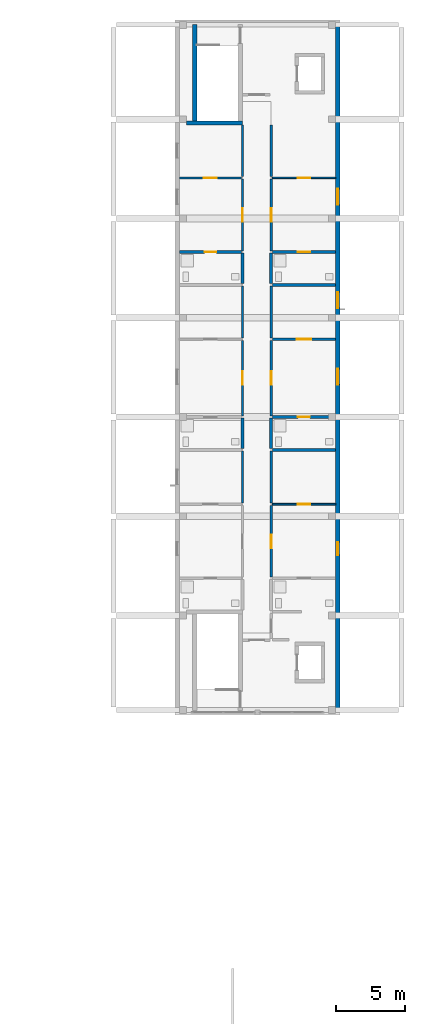
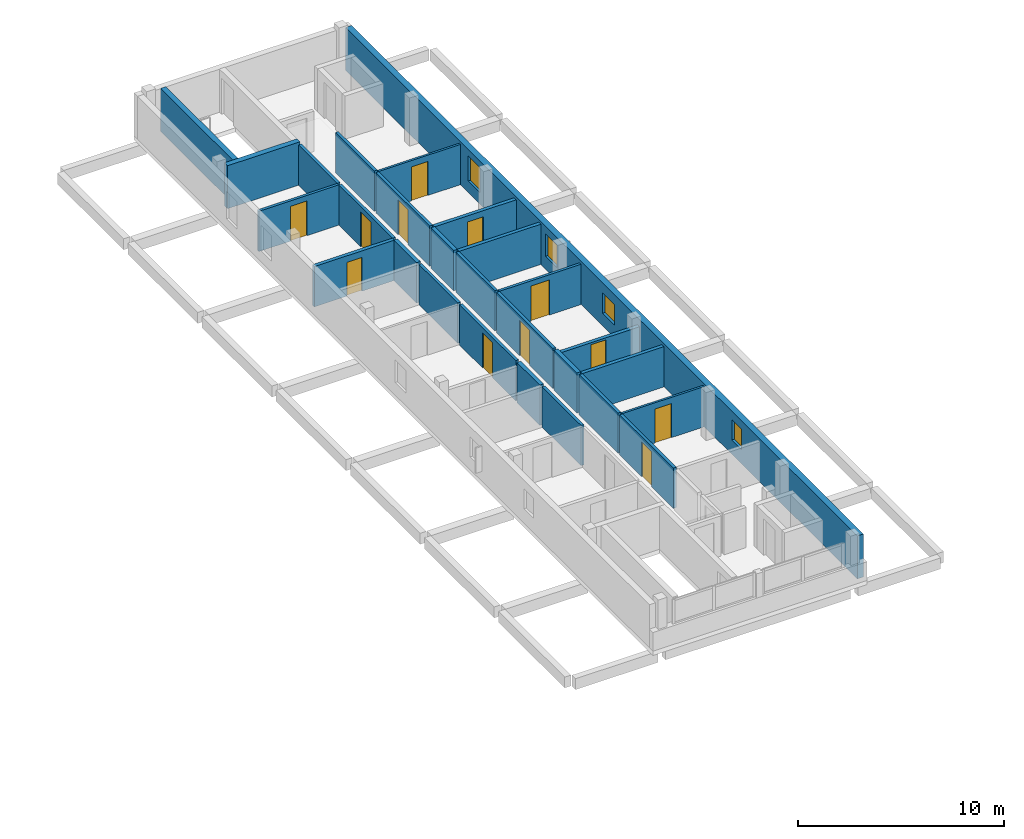
# One storey, part 9 of 16: 27 walls, 12 doors, 4 windows, 16 openings.
"""IFC4 building model written with IfcOpenShell, lengths in metres."""

from ifc_helpers import new_model, si_unit, derived_unit, direction, frame, frame_2d, origin, place, context, subcontext, project, spatial, rectangle, extrude, material, layer, layer_set, type_object, element, fill, save


model = new_model("IFC4")

# Units and contexts
model_context = context("Model", 3, precision=1e-05, world=origin(), true_north=direction((0.0, 1.0)))
body_context = subcontext(model_context, "Body", "Model", "MODEL_VIEW")
ifc_project = project(units=[si_unit("LENGTHUNIT", "METRE"), si_unit("AREAUNIT", "SQUARE_METRE"), si_unit("VOLUMEUNIT", "CUBIC_METRE"), si_unit("PLANEANGLEUNIT", "RADIAN"), si_unit("MASSUNIT", "GRAM", prefix="KILO"), derived_unit("THERMALTRANSMITTANCEUNIT", [(si_unit("MASSUNIT", "GRAM", prefix="KILO"), 1), (si_unit("TIMEUNIT", "SECOND"), -3), (si_unit("THERMODYNAMICTEMPERATUREUNIT", "KELVIN"), -1)])], contexts=[model_context])

# Site, building, storey
site_placement = place(None, origin())
site = spatial("IfcSite", under=ifc_project, at=site_placement, CompositionType="ELEMENT")
building_placement = place(site_placement, origin())
building = spatial("IfcBuilding", under=site, at=building_placement, Name="Ochrekiln Boulevard Commons", CompositionType="ELEMENT")
storey_placement = place(building_placement, frame((0.0, 0.0, 40.425048828125)))
storey = spatial("IfcBuildingStorey", under=building, at=storey_placement, Name="L12", CompositionType="ELEMENT", Elevation=40.425048828125)

# Wall, openings, windows
ifc_material_1 = material(Name="Iron-spot brown clinker brick masonry ASTM C216 Grade SW", Category="masonry")
ifc_layer_1 = layer(ifc_material_1, 0.340087890625)
ifc_layer_set_1 = layer_set([ifc_layer_1], Name="Iron-spot brown clinker brick masonry ASTM C216 Grade SW")
wall_type_1 = type_object("IfcWallType", Name="WL-EXT-IRON-340", PredefinedType="SOLIDWALL", material=ifc_layer_set_1)
wall_1_placement = place(storey_placement, frame((167.830078125, 68.739990234375, 0.0), z_axis=(0.0, 0.0, 1.0), x_axis=(0.0, 1.0, 0.0)))
wall_1 = element("IfcWall", 1, at=wall_1_placement, inside=storey, type_object=wall_type_1, Name="Block B L12 E Exterior Wall", PredefinedType="SOLIDWALL", context=body_context, shape_type="SweptSolid", body=[
    extrude(rectangle(XDim=49.719970703125, YDim=0.340087890625, at=frame_2d((24.85986328125, 0.0))), origin(), (0.0, 0.0, 1.0), 2.550048828125),
])
opening_1_placement = place(wall_1_placement, frame((11.239990234375, 0.0, 0.85009765625)))
opening_1 = element("IfcOpeningElement", 2, at=opening_1_placement, cuts=wall_1, Name="Opening W-01", PredefinedType="OPENING", context=body_context, shape_type="SweptSolid", body=[
    extrude(rectangle(XDim=0.949951171875, YDim=1.199951171875, at=frame_2d((0.47509765625, 0.60009765625))), frame((0.0, 0.179931640625, 0.0), z_axis=(0.0, -1.0, 0.0), x_axis=(1.0, 0.0, 0.0)), (0.0, 0.0, 1.0), 0.360107421875),
])
opening_2_placement = place(wall_1_placement, frame((23.60205078125, 0.0, 0.75)))
opening_2 = element("IfcOpeningElement", 3, at=opening_2_placement, cuts=wall_1, Name="Opening W-11", PredefinedType="OPENING", context=body_context, shape_type="SweptSolid", body=[
    extrude(rectangle(XDim=1.14990234375, YDim=1.199951171875, at=frame_2d((0.574951171875, 0.60009765625))), frame((0.0, 0.179931640625, 0.0), z_axis=(0.0, -1.0, 0.0), x_axis=(1.0, 0.0, 0.0)), (0.0, 0.0, 1.0), 0.360107421875),
])
opening_3_placement = place(wall_1_placement, frame((29.1669921875, 0.0, 0.75)))
opening_3 = element("IfcOpeningElement", 4, at=opening_3_placement, cuts=wall_1, Name="Opening W-12", PredefinedType="OPENING", context=body_context, shape_type="SweptSolid", body=[
    extrude(rectangle(XDim=1.14990234375, YDim=1.35009765625, at=frame_2d((0.574951171875, 0.675048828125))), frame((0.0, 0.179931640625, 0.0), z_axis=(0.0, -1.0, 0.0), x_axis=(1.0, 0.0, 0.0)), (0.0, 0.0, 1.0), 0.360107421875),
])
opening_4_placement = place(wall_1_placement, frame((36.655029296875, 0.0, 0.6650390625)))
opening_4 = element("IfcOpeningElement", 5, at=opening_4_placement, cuts=wall_1, Name="Opening W-13", PredefinedType="OPENING", context=body_context, shape_type="SweptSolid", body=[
    extrude(rectangle(XDim=1.14990234375, YDim=1.5, at=frame_2d((0.574951171875, 0.75))), frame((0.0, 0.179931640625, 0.0), z_axis=(0.0, -1.0, 0.0), x_axis=(1.0, 0.0, 0.0)), (0.0, 0.0, 1.0), 0.360107421875),
])
ifc_material_2 = material(Name="Thermally broken aluminium-clad oak frame", Category="aluminium")
window_type_1 = type_object("IfcWindowType", Name="WIN-EXT-01", PartitioningType="SINGLE_PANEL", PredefinedType="WINDOW", material=ifc_material_2)
window_1_placement = place(opening_1_placement, origin())
window_1 = element("IfcWindow", 6, at=window_1_placement, inside=storey, type_object=window_type_1, Name="Block B L12 Punched Masonry Window W-01", OverallHeight=1.199951171875, OverallWidth=0.949951171875, PartitioningType="SINGLE_PANEL", PredefinedType="WINDOW", context=body_context, shape_type="SweptSolid", body=[
    extrude(rectangle(XDim=0.949951171875, YDim=1.199951171875, at=frame_2d((0.47509765625, 0.60009765625))), frame((0.0, 0.030029296875, 0.0), z_axis=(0.0, -1.0, 0.0), x_axis=(1.0, 0.0, 0.0)), (0.0, 0.0, 1.0), 0.06005859375),
])
fill(opening_1, window_1)
window_type_2 = type_object("IfcWindowType", Name="WIN-EXT-11", PartitioningType="SINGLE_PANEL", PredefinedType="WINDOW", material=ifc_material_2)
window_2_placement = place(opening_2_placement, origin())
window_2 = element("IfcWindow", 7, at=window_2_placement, inside=storey, type_object=window_type_2, Name="Block B L12 Punched Masonry Window W-11", OverallHeight=1.199951171875, OverallWidth=1.14990234375, PartitioningType="SINGLE_PANEL", PredefinedType="WINDOW", context=body_context, shape_type="SweptSolid", body=[
    extrude(rectangle(XDim=1.14990234375, YDim=1.199951171875, at=frame_2d((0.574951171875, 0.60009765625))), frame((0.0, 0.030029296875, 0.0), z_axis=(0.0, -1.0, 0.0), x_axis=(1.0, 0.0, 0.0)), (0.0, 0.0, 1.0), 0.06005859375),
])
fill(opening_2, window_2)
window_type_3 = type_object("IfcWindowType", Name="WIN-EXT-12", PartitioningType="SINGLE_PANEL", PredefinedType="WINDOW", material=ifc_material_2)
window_3_placement = place(opening_3_placement, origin())
window_3 = element("IfcWindow", 8, at=window_3_placement, inside=storey, type_object=window_type_3, Name="Block B L12 Punched Masonry Window W-12", OverallHeight=1.35009765625, OverallWidth=1.14990234375, PartitioningType="SINGLE_PANEL", PredefinedType="WINDOW", context=body_context, shape_type="SweptSolid", body=[
    extrude(rectangle(XDim=1.14990234375, YDim=1.35009765625, at=frame_2d((0.574951171875, 0.675048828125))), frame((0.0, 0.030029296875, 0.0), z_axis=(0.0, -1.0, 0.0), x_axis=(1.0, 0.0, 0.0)), (0.0, 0.0, 1.0), 0.06005859375),
])
fill(opening_3, window_3)
window_type_4 = type_object("IfcWindowType", Name="WIN-EXT-13", PartitioningType="SINGLE_PANEL", PredefinedType="WINDOW", material=ifc_material_2)
window_4_placement = place(opening_4_placement, origin())
window_4 = element("IfcWindow", 9, at=window_4_placement, inside=storey, type_object=window_type_4, Name="Block B L12 Punched Masonry Window W-13", OverallHeight=1.5, OverallWidth=1.14990234375, PartitioningType="SINGLE_PANEL", PredefinedType="WINDOW", context=body_context, shape_type="SweptSolid", body=[
    extrude(rectangle(XDim=1.14990234375, YDim=1.5, at=frame_2d((0.574951171875, 0.75))), frame((0.0, 0.030029296875, 0.0), z_axis=(0.0, -1.0, 0.0), x_axis=(1.0, 0.0, 0.0)), (0.0, 0.0, 1.0), 0.06005859375),
])
fill(opening_4, window_4)

# Wall, opening, door
ifc_material_3 = material(Name="Moisture-resistant cementitious tile backer wall")
ifc_layer_2 = layer(ifc_material_3, 0.199951171875)
ifc_layer_set_2 = layer_set([ifc_layer_2], Name="Moisture-resistant cementitious tile backer wall")
wall_type_2 = type_object("IfcWallType", Name="WL-PLM-200", PredefinedType="PLUMBINGWALL", material=ifc_layer_set_2)
wall_2_placement = place(storey_placement, frame((156.340087890625, 101.97412109375, 0.0), z_axis=(0.0, 0.0, 1.0), x_axis=(1.0, 0.0, 0.0)))
wall_2 = element("IfcWall", 10, at=wall_2_placement, inside=storey, type_object=wall_type_2, Name="L12 Interior Wall W-PW200", PredefinedType="PLUMBINGWALL", context=body_context, shape_type="SweptSolid", body=[
    extrude(rectangle(XDim=4.48681640625, YDim=0.199951171875, at=frame_2d((2.243408203125, 0.0))), origin(), (0.0, 0.0, 1.0), 2.389892578125),
])
opening_5_placement = place(wall_2_placement, frame((1.81494140625, 0.0, 0.0)))
opening_5 = element("IfcOpeningElement", 11, at=opening_5_placement, cuts=wall_2, Name="Opening D-L12-1327", PredefinedType="OPENING", context=body_context, shape_type="SweptSolid", body=[
    extrude(rectangle(XDim=0.860107421875, YDim=2.0, at=frame_2d((0.43017578125, 1.0))), frame((0.0, 0.10986328125, 0.0), z_axis=(0.0, -1.0, 0.0), x_axis=(1.0, 0.0, 0.0)), (0.0, 0.0, 1.0), 0.219970703125),
])
ifc_material_4 = material(Name="Solid core architectural oak door leaf")
door_type_1 = type_object("IfcDoorType", Name="DR-INT-BTH-086", OperationType="NOTDEFINED", PredefinedType="DOOR", material=ifc_material_4)
door_1_placement = place(opening_5_placement, frame((0.860107421875, 0.0, 0.0), z_axis=(0.0, 0.0, 1.0), x_axis=(-1.0, 0.0, 0.0)))
door_1 = element("IfcDoor", 12, at=door_1_placement, inside=storey, type_object=door_type_1, Name="L12 Interior Door to Loft Bathroom", OperationType="SINGLE_SWING_LEFT", OverallHeight=2.0, OverallWidth=0.860107421875, PredefinedType="DOOR", context=body_context, shape_type="SweptSolid", body=[
    extrude(rectangle(XDim=0.860107421875, YDim=2.0, at=frame_2d((0.43017578125, 1.0))), frame((0.0, 0.02490234375, 0.0), z_axis=(0.0, -1.0, 0.0), x_axis=(1.0, 0.0, 0.0)), (0.0, 0.0, 1.0), 0.050048828125),
])
fill(opening_5, door_1)

# Wall
wall_3_placement = place(storey_placement, frame((163.072998046875, 87.615966796875, 0.0), z_axis=(0.0, 0.0, 1.0), x_axis=(1.0, 0.0, 0.0)))
element("IfcWall", 13, at=wall_3_placement, inside=storey, type_object=wall_type_2, Name="L12 Interior Wall W-PW200", PredefinedType="PLUMBINGWALL", context=body_context, shape_type="SweptSolid", body=[
    extrude(rectangle(XDim=4.5869140625, YDim=0.199951171875, at=frame_2d((2.29345703125, 0.0))), origin(), (0.0, 0.0, 1.0), 2.389892578125),
])

# Wall, opening, door
wall_4_placement = place(storey_placement, frame((163.072998046875, 90.006103515625, 0.0), z_axis=(0.0, 0.0, 1.0), x_axis=(1.0, 0.0, 0.0)))
wall_4 = element("IfcWall", 14, at=wall_4_placement, inside=storey, type_object=wall_type_2, Name="L12 Interior Wall W-PW200", PredefinedType="PLUMBINGWALL", context=body_context, shape_type="SweptSolid", body=[
    extrude(rectangle(XDim=4.5869140625, YDim=0.199951171875, at=frame_2d((2.29345703125, 0.0))), origin(), (0.0, 0.0, 1.0), 2.119873046875),
])
opening_6_placement = place(wall_4_placement, frame((1.862060546875, 0.0, 0.0)))
opening_6 = element("IfcOpeningElement", 15, at=opening_6_placement, cuts=wall_4, Name="Opening D-L12-1331", PredefinedType="OPENING", context=body_context, shape_type="SweptSolid", body=[
    extrude(rectangle(XDim=0.860107421875, YDim=2.0, at=frame_2d((0.43017578125, 1.0))), frame((0.0, 0.10986328125, 0.0), z_axis=(0.0, -1.0, 0.0), x_axis=(1.0, 0.0, 0.0)), (0.0, 0.0, 1.0), 0.219970703125),
])
door_2_placement = place(opening_6_placement, frame((0.860107421875, 0.0, 0.0), z_axis=(0.0, 0.0, 1.0), x_axis=(-1.0, 0.0, 0.0)))
door_2 = element("IfcDoor", 16, at=door_2_placement, inside=storey, type_object=door_type_1, Name="L12 Interior Door to Loft Bathroom", OperationType="SINGLE_SWING_LEFT", OverallHeight=2.0, OverallWidth=0.860107421875, PredefinedType="DOOR", context=body_context, shape_type="SweptSolid", body=[
    extrude(rectangle(XDim=0.860107421875, YDim=2.0, at=frame_2d((0.43017578125, 1.0))), frame((0.0, 0.02490234375, 0.0), z_axis=(0.0, -1.0, 0.0), x_axis=(1.0, 0.0, 0.0)), (0.0, 0.0, 1.0), 0.050048828125),
])
fill(opening_6, door_2)

# Wall
wall_5_placement = place(storey_placement, frame((163.072998046875, 99.583984375, 0.0), z_axis=(0.0, 0.0, 1.0), x_axis=(1.0, 0.0, 0.0)))
element("IfcWall", 17, at=wall_5_placement, inside=storey, type_object=wall_type_2, Name="L12 Interior Wall W-PW200", PredefinedType="PLUMBINGWALL", context=body_context, shape_type="SweptSolid", body=[
    extrude(rectangle(XDim=4.5869140625, YDim=0.199951171875, at=frame_2d((2.29345703125, 0.0))), origin(), (0.0, 0.0, 1.0), 2.389892578125),
])

# Wall, opening, door
wall_6_placement = place(storey_placement, frame((163.072998046875, 101.97412109375, 0.0), z_axis=(0.0, 0.0, 1.0), x_axis=(1.0, 0.0, 0.0)))
wall_6 = element("IfcWall", 18, at=wall_6_placement, inside=storey, type_object=wall_type_2, Name="L12 Interior Wall W-PW200", PredefinedType="PLUMBINGWALL", context=body_context, shape_type="SweptSolid", body=[
    extrude(rectangle(XDim=4.5869140625, YDim=0.199951171875, at=frame_2d((2.29345703125, 0.0))), origin(), (0.0, 0.0, 1.0), 2.389892578125),
])
opening_7_placement = place(wall_6_placement, frame((1.846923828125, 0.0, 0.0)))
opening_7 = element("IfcOpeningElement", 19, at=opening_7_placement, cuts=wall_6, Name="Opening D-L12-1333", PredefinedType="OPENING", context=body_context, shape_type="SweptSolid", body=[
    extrude(rectangle(XDim=0.889892578125, YDim=2.030029296875, at=frame_2d((0.44482421875, 1.01513671875))), frame((0.0, 0.10986328125, 0.0), z_axis=(0.0, -1.0, 0.0), x_axis=(1.0, 0.0, 0.0)), (0.0, 0.0, 1.0), 0.219970703125),
])
door_type_2 = type_object("IfcDoorType", Name="DR-INT-BTH-089", OperationType="NOTDEFINED", PredefinedType="DOOR", material=ifc_material_4)
door_3_placement = place(opening_7_placement, frame((0.889892578125, 0.0, 0.0), z_axis=(0.0, 0.0, 1.0), x_axis=(-1.0, 0.0, 0.0)))
door_3 = element("IfcDoor", 20, at=door_3_placement, inside=storey, type_object=door_type_2, Name="L12 Interior Door to Loft Bathroom", OperationType="SINGLE_SWING_LEFT", OverallHeight=2.030029296875, OverallWidth=0.889892578125, PredefinedType="DOOR", context=body_context, shape_type="SweptSolid", body=[
    extrude(rectangle(XDim=0.889892578125, YDim=2.030029296875, at=frame_2d((0.44482421875, 1.01513671875))), frame((0.0, 0.02490234375, 0.0), z_axis=(0.0, -1.0, 0.0), x_axis=(1.0, 0.0, 0.0)), (0.0, 0.0, 1.0), 0.050048828125),
])
fill(opening_7, door_3)

# Walls
ifc_layer_3 = layer(ifc_material_3, 0.219970703125)
ifc_layer_set_3 = layer_set([ifc_layer_3], Name="Moisture-resistant cementitious tile backer wall")
wall_type_3 = type_object("IfcWallType", Name="WL-PLM-220", PredefinedType="PLUMBINGWALL", material=ifc_layer_set_3)
for number, where, z_axis, x_axis, name in (
    (21, (160.909912109375, 87.7060546875, 0.0), (0.0, 0.0, 1.0), (0.0, 1.0, 0.0), "L12 Interior Wall W-PW220"),
    (22, (160.909912109375, 99.674072265625, 0.0), (0.0, 0.0, 1.0), (0.0, 1.0, 0.0), "L12 Interior Wall W-PW220"),
    (23, (162.989990234375, 87.7060546875, 0.0), (0.0, 0.0, 1.0), (0.0, 1.0, 0.0), "L12 Interior Wall W-PW220"),
    (24, (162.989990234375, 99.674072265625, 0.0), (0.0, 0.0, 1.0), (0.0, 1.0, 0.0), "L12 Interior Wall W-PW220"),
):
    element("IfcWall", number, at=place(storey_placement, frame(where, z_axis=z_axis, x_axis=x_axis)), inside=storey, type_object=wall_type_3, Name=name, PredefinedType="PLUMBINGWALL", context=body_context, shape_type="SweptSolid", body=[
        extrude(rectangle(XDim=2.219970703125, YDim=0.219970703125, at=frame_2d((1.10986328125, 0.0))), origin(), (0.0, 0.0, 1.0), 2.389892578125),
    ])
ifc_material_5 = material(Name="Fire-rated Type X gypsum board on steel studs", Category="steel")
ifc_layer_4 = layer(ifc_material_5, 0.1650390625)
ifc_layer_set_4 = layer_set([ifc_layer_4], Name="Fire-rated Type X gypsum board on steel studs")
wall_type_4 = type_object("IfcWallType", Name="WL-PT-CORR-165", PredefinedType="PARTITIONING", material=ifc_layer_set_4)
wall_7_placement = place(storey_placement, frame((160.909912109375, 83.756103515625, 0.0), z_axis=(0.0, 0.0, 1.0), x_axis=(0.0, 1.0, 0.0)))
element("IfcWall", 25, at=wall_7_placement, inside=storey, type_object=wall_type_4, Name="L12 Interior Wall W-PC165", PredefinedType="PARTITIONING", context=body_context, shape_type="SweptSolid", body=[
    extrude(rectangle(XDim=3.769775390625, YDim=0.1650390625, at=frame_2d((1.884765625, 0.0))), origin(), (0.0, 0.0, 1.0), 2.389892578125),
])

# Wall, opening, door
wall_8_placement = place(storey_placement, frame((160.909912109375, 90.0859375, 0.0), z_axis=(0.0, 0.0, 1.0), x_axis=(0.0, 1.0, 0.0)))
wall_8 = element("IfcWall", 26, at=wall_8_placement, inside=storey, type_object=wall_type_4, Name="L12 Interior Wall W-PC165", PredefinedType="PARTITIONING", context=body_context, shape_type="SweptSolid", body=[
    extrude(rectangle(XDim=5.47802734375, YDim=0.1650390625, at=frame_2d((2.739013671875, 0.0))), origin(), (0.0, 0.0, 1.0), 2.389892578125),
])
opening_8_placement = place(wall_8_placement, frame((2.2490234375, 0.0, 0.0)))
opening_8 = element("IfcOpeningElement", 27, at=opening_8_placement, cuts=wall_8, Name="Opening D-L12-1318", PredefinedType="OPENING", context=body_context, shape_type="SweptSolid", body=[
    extrude(rectangle(XDim=0.97998046875, YDim=2.080078125, at=frame_2d((0.489990234375, 1.0400390625))), frame((0.0, 0.092529296875, 0.0), z_axis=(0.0, -1.0, 0.0), x_axis=(1.0, 0.0, 0.0)), (0.0, 0.0, 1.0), 0.18505859375),
])
door_type_3 = type_object("IfcDoorType", Name="DR-APT-60", OperationType="NOTDEFINED", PredefinedType="DOOR", material=ifc_material_4)
door_4_placement = place(opening_8_placement, origin())
door_4 = element("IfcDoor", 28, at=door_4_placement, inside=storey, type_object=door_type_3, Name="L12 Interior Door to Loft Living Room", OperationType="SINGLE_SWING_RIGHT", OverallHeight=2.080078125, OverallWidth=0.97998046875, PredefinedType="DOOR", context=body_context, shape_type="SweptSolid", body=[
    extrude(rectangle(XDim=0.97998046875, YDim=2.080078125, at=frame_2d((0.489990234375, 1.0400390625))), frame((0.0, 0.02490234375, 0.0), z_axis=(0.0, -1.0, 0.0), x_axis=(1.0, 0.0, 0.0)), (0.0, 0.0, 1.0), 0.050048828125),
])
fill(opening_8, door_4)

# Wall
wall_9_placement = place(storey_placement, frame((160.909912109375, 95.72412109375, 0.0), z_axis=(0.0, 0.0, 1.0), x_axis=(0.0, 1.0, 0.0)))
element("IfcWall", 29, at=wall_9_placement, inside=storey, type_object=wall_type_4, Name="L12 Interior Wall W-PC165", PredefinedType="PARTITIONING", context=body_context, shape_type="SweptSolid", body=[
    extrude(rectangle(XDim=3.769775390625, YDim=0.1650390625, at=frame_2d((1.884765625, 0.0))), origin(), (0.0, 0.0, 1.0), 2.389892578125),
])

# Wall, opening, door
wall_10_placement = place(storey_placement, frame((160.909912109375, 102.053955078125, 0.0), z_axis=(0.0, 0.0, 1.0), x_axis=(0.0, 1.0, 0.0)))
wall_10 = element("IfcWall", 30, at=wall_10_placement, inside=storey, type_object=wall_type_4, Name="L12 Interior Wall W-PC165", PredefinedType="PARTITIONING", context=body_context, shape_type="SweptSolid", body=[
    extrude(rectangle(XDim=5.216064453125, YDim=0.1650390625, at=frame_2d((2.60791015625, 0.0))), origin(), (0.0, 0.0, 1.0), 2.389892578125),
])
opening_9_placement = place(wall_10_placement, frame((2.117919921875, 0.0, 0.0)))
opening_9 = element("IfcOpeningElement", 31, at=opening_9_placement, cuts=wall_10, Name="Opening D-L12-1319", PredefinedType="OPENING", context=body_context, shape_type="SweptSolid", body=[
    extrude(rectangle(XDim=0.97998046875, YDim=2.080078125, at=frame_2d((0.489990234375, 1.0400390625))), frame((0.0, 0.092529296875, 0.0), z_axis=(0.0, -1.0, 0.0), x_axis=(1.0, 0.0, 0.0)), (0.0, 0.0, 1.0), 0.18505859375),
])
door_5_placement = place(opening_9_placement, origin())
door_5 = element("IfcDoor", 32, at=door_5_placement, inside=storey, type_object=door_type_3, Name="L12 Interior Door to Loft Living Room", OperationType="SINGLE_SWING_LEFT", OverallHeight=2.080078125, OverallWidth=0.97998046875, PredefinedType="DOOR", context=body_context, shape_type="SweptSolid", body=[
    extrude(rectangle(XDim=0.97998046875, YDim=2.080078125, at=frame_2d((0.489990234375, 1.0400390625))), frame((0.0, 0.02490234375, 0.0), z_axis=(0.0, -1.0, 0.0), x_axis=(1.0, 0.0, 0.0)), (0.0, 0.0, 1.0), 0.050048828125),
])
fill(opening_9, door_5)

# Wall
wall_11_placement = place(storey_placement, frame((160.909912109375, 107.429931640625, 0.0), z_axis=(0.0, 0.0, 1.0), x_axis=(0.0, 1.0, 0.0)))
element("IfcWall", 33, at=wall_11_placement, inside=storey, type_object=wall_type_4, Name="L12 Interior Wall W-PC165", PredefinedType="PARTITIONING", context=body_context, shape_type="SweptSolid", body=[
    extrude(rectangle(XDim=3.77001953125, YDim=0.1650390625, at=frame_2d((1.885009765625, 0.0))), origin(), (0.0, 0.0, 1.0), 2.389892578125),
])

# Wall, opening, door
wall_12_placement = place(storey_placement, frame((162.989990234375, 78.3798828125, 0.0), z_axis=(0.0, 0.0, 1.0), x_axis=(0.0, 1.0, 0.0)))
wall_12 = element("IfcWall", 34, at=wall_12_placement, inside=storey, type_object=wall_type_4, Name="L12 Interior Wall W-PC165", PredefinedType="PARTITIONING", context=body_context, shape_type="SweptSolid", body=[
    extrude(rectangle(XDim=5.216064453125, YDim=0.1650390625, at=frame_2d((2.60791015625, 0.0))), origin(), (0.0, 0.0, 1.0), 2.389892578125),
])
opening_10_placement = place(wall_12_placement, frame((2.117919921875, 0.0, 0.0)))
opening_10 = element("IfcOpeningElement", 35, at=opening_10_placement, cuts=wall_12, Name="Opening D-L12-1320", PredefinedType="OPENING", context=body_context, shape_type="SweptSolid", body=[
    extrude(rectangle(XDim=0.97998046875, YDim=2.080078125, at=frame_2d((0.489990234375, 1.0400390625))), frame((0.0, 0.092529296875, 0.0), z_axis=(0.0, -1.0, 0.0), x_axis=(1.0, 0.0, 0.0)), (0.0, 0.0, 1.0), 0.18505859375),
])
door_6_placement = place(opening_10_placement, frame((0.97998046875, 0.0, 0.0), z_axis=(0.0, 0.0, 1.0), x_axis=(-1.0, 0.0, 0.0)))
door_6 = element("IfcDoor", 36, at=door_6_placement, inside=storey, type_object=door_type_3, Name="L12 Interior Door to Loft Living Room", OperationType="SINGLE_SWING_RIGHT", OverallHeight=2.080078125, OverallWidth=0.97998046875, PredefinedType="DOOR", context=body_context, shape_type="SweptSolid", body=[
    extrude(rectangle(XDim=0.97998046875, YDim=2.080078125, at=frame_2d((0.489990234375, 1.0400390625))), frame((0.0, 0.02490234375, 0.0), z_axis=(0.0, -1.0, 0.0), x_axis=(1.0, 0.0, 0.0)), (0.0, 0.0, 1.0), 0.050048828125),
])
fill(opening_10, door_6)

# Wall
wall_13_placement = place(storey_placement, frame((162.989990234375, 83.756103515625, 0.0), z_axis=(0.0, 0.0, 1.0), x_axis=(0.0, 1.0, 0.0)))
element("IfcWall", 37, at=wall_13_placement, inside=storey, type_object=wall_type_4, Name="L12 Interior Wall W-PC165", PredefinedType="PARTITIONING", context=body_context, shape_type="SweptSolid", body=[
    extrude(rectangle(XDim=3.769775390625, YDim=0.1650390625, at=frame_2d((1.884765625, 0.0))), origin(), (0.0, 0.0, 1.0), 2.389892578125),
])

# Wall, opening, door
wall_14_placement = place(storey_placement, frame((162.989990234375, 90.0859375, 0.0), z_axis=(0.0, 0.0, 1.0), x_axis=(0.0, 1.0, 0.0)))
wall_14 = element("IfcWall", 38, at=wall_14_placement, inside=storey, type_object=wall_type_4, Name="L12 Interior Wall W-PC165", PredefinedType="PARTITIONING", context=body_context, shape_type="SweptSolid", body=[
    extrude(rectangle(XDim=5.47802734375, YDim=0.1650390625, at=frame_2d((2.739013671875, 0.0))), origin(), (0.0, 0.0, 1.0), 2.389892578125),
])
opening_11_placement = place(wall_14_placement, frame((2.2490234375, 0.0, 0.0)))
opening_11 = element("IfcOpeningElement", 39, at=opening_11_placement, cuts=wall_14, Name="Opening D-L12-1321", PredefinedType="OPENING", context=body_context, shape_type="SweptSolid", body=[
    extrude(rectangle(XDim=0.97998046875, YDim=2.080078125, at=frame_2d((0.489990234375, 1.0400390625))), frame((0.0, 0.092529296875, 0.0), z_axis=(0.0, -1.0, 0.0), x_axis=(1.0, 0.0, 0.0)), (0.0, 0.0, 1.0), 0.18505859375),
])
door_7_placement = place(opening_11_placement, frame((0.97998046875, 0.0, 0.0), z_axis=(0.0, 0.0, 1.0), x_axis=(-1.0, 0.0, 0.0)))
door_7 = element("IfcDoor", 40, at=door_7_placement, inside=storey, type_object=door_type_3, Name="L12 Interior Door to Loft Living Room", OperationType="SINGLE_SWING_LEFT", OverallHeight=2.080078125, OverallWidth=0.97998046875, PredefinedType="DOOR", context=body_context, shape_type="SweptSolid", body=[
    extrude(rectangle(XDim=0.97998046875, YDim=2.080078125, at=frame_2d((0.489990234375, 1.0400390625))), frame((0.0, 0.02490234375, 0.0), z_axis=(0.0, -1.0, 0.0), x_axis=(1.0, 0.0, 0.0)), (0.0, 0.0, 1.0), 0.050048828125),
])
fill(opening_11, door_7)

# Wall
wall_15_placement = place(storey_placement, frame((162.989990234375, 95.72412109375, 0.0), z_axis=(0.0, 0.0, 1.0), x_axis=(0.0, 1.0, 0.0)))
element("IfcWall", 41, at=wall_15_placement, inside=storey, type_object=wall_type_4, Name="L12 Interior Wall W-PC165", PredefinedType="PARTITIONING", context=body_context, shape_type="SweptSolid", body=[
    extrude(rectangle(XDim=3.769775390625, YDim=0.1650390625, at=frame_2d((1.884765625, 0.0))), origin(), (0.0, 0.0, 1.0), 2.389892578125),
])

# Wall, opening, door
wall_16_placement = place(storey_placement, frame((162.989990234375, 102.053955078125, 0.0), z_axis=(0.0, 0.0, 1.0), x_axis=(0.0, 1.0, 0.0)))
wall_16 = element("IfcWall", 42, at=wall_16_placement, inside=storey, type_object=wall_type_4, Name="L12 Interior Wall W-PC165", PredefinedType="PARTITIONING", context=body_context, shape_type="SweptSolid", body=[
    extrude(rectangle(XDim=5.216064453125, YDim=0.1650390625, at=frame_2d((2.60791015625, 0.0))), origin(), (0.0, 0.0, 1.0), 2.389892578125),
])
opening_12_placement = place(wall_16_placement, frame((2.117919921875, 0.0, 0.0)))
opening_12 = element("IfcOpeningElement", 43, at=opening_12_placement, cuts=wall_16, Name="Opening D-L12-1322", PredefinedType="OPENING", context=body_context, shape_type="SweptSolid", body=[
    extrude(rectangle(XDim=0.97998046875, YDim=2.080078125, at=frame_2d((0.489990234375, 1.0400390625))), frame((0.0, 0.092529296875, 0.0), z_axis=(0.0, -1.0, 0.0), x_axis=(1.0, 0.0, 0.0)), (0.0, 0.0, 1.0), 0.18505859375),
])
door_8_placement = place(opening_12_placement, frame((0.97998046875, 0.0, 0.0), z_axis=(0.0, 0.0, 1.0), x_axis=(-1.0, 0.0, 0.0)))
door_8 = element("IfcDoor", 44, at=door_8_placement, inside=storey, type_object=door_type_3, Name="L12 Interior Door to Loft Living Room", OperationType="SINGLE_SWING_RIGHT", OverallHeight=2.080078125, OverallWidth=0.97998046875, PredefinedType="DOOR", context=body_context, shape_type="SweptSolid", body=[
    extrude(rectangle(XDim=0.97998046875, YDim=2.080078125, at=frame_2d((0.489990234375, 1.0400390625))), frame((0.0, 0.02490234375, 0.0), z_axis=(0.0, -1.0, 0.0), x_axis=(1.0, 0.0, 0.0)), (0.0, 0.0, 1.0), 0.050048828125),
])
fill(opening_12, door_8)

# Wall
wall_17_placement = place(storey_placement, frame((162.989990234375, 107.429931640625, 0.0), z_axis=(0.0, 0.0, 1.0), x_axis=(0.0, 1.0, 0.0)))
element("IfcWall", 45, at=wall_17_placement, inside=storey, type_object=wall_type_4, Name="L12 Interior Wall W-PC165", PredefinedType="PARTITIONING", context=body_context, shape_type="SweptSolid", body=[
    extrude(rectangle(XDim=3.77001953125, YDim=0.1650390625, at=frame_2d((1.885009765625, 0.0))), origin(), (0.0, 0.0, 1.0), 2.389892578125),
])

# Wall, opening, door
ifc_layer_5 = layer(ifc_material_5, 0.1201171875)
ifc_layer_set_5 = layer_set([ifc_layer_5], Name="Fire-rated Type X gypsum board on steel studs")
wall_type_5 = type_object("IfcWallType", Name="WL-PT-LGT-120", PredefinedType="PARTITIONING", material=ifc_layer_set_5)
wall_18_placement = place(storey_placement, frame((163.072998046875, 83.676025390625, 0.0), z_axis=(0.0, 0.0, 1.0), x_axis=(1.0, 0.0, 0.0)))
wall_18 = element("IfcWall", 46, at=wall_18_placement, inside=storey, type_object=wall_type_5, Name="L12 Interior Wall W-PL120", PredefinedType="PARTITIONING", context=body_context, shape_type="SweptSolid", body=[
    extrude(rectangle(XDim=4.5869140625, YDim=0.1201171875, at=frame_2d((2.29345703125, 0.0))), origin(), (0.0, 0.0, 1.0), 2.389892578125),
])
opening_13_placement = place(wall_18_placement, frame((1.83203125, 0.0, 0.0)))
opening_13 = element("IfcOpeningElement", 47, at=opening_13_placement, cuts=wall_18, Name="Opening D-L12-1330", PredefinedType="OPENING", context=body_context, shape_type="SweptSolid", body=[
    extrude(rectangle(XDim=0.919921875, YDim=2.02001953125, at=frame_2d((0.4599609375, 1.010009765625))), frame((0.0, 0.070068359375, 0.0), z_axis=(0.0, -1.0, 0.0), x_axis=(1.0, 0.0, 0.0)), (0.0, 0.0, 1.0), 0.14013671875),
])
door_type_4 = type_object("IfcDoorType", Name="DR-INT-KIT-092", OperationType="NOTDEFINED", PredefinedType="DOOR", material=ifc_material_4)
door_9_placement = place(opening_13_placement, origin())
door_9 = element("IfcDoor", 48, at=door_9_placement, inside=storey, type_object=door_type_4, Name="L12 Interior Door to Loft Kitchen", OperationType="SINGLE_SWING_RIGHT", OverallHeight=2.02001953125, OverallWidth=0.919921875, PredefinedType="DOOR", context=body_context, shape_type="SweptSolid", body=[
    extrude(rectangle(XDim=0.919921875, YDim=2.02001953125, at=frame_2d((0.4599609375, 1.010009765625))), frame((0.0, 0.02490234375, 0.0), z_axis=(0.0, -1.0, 0.0), x_axis=(1.0, 0.0, 0.0)), (0.0, 0.0, 1.0), 0.050048828125),
])
fill(opening_13, door_9)

wall_19_placement = place(storey_placement, frame((163.072998046875, 107.35009765625, 0.0), z_axis=(0.0, 0.0, 1.0), x_axis=(1.0, 0.0, 0.0)))
wall_19 = element("IfcWall", 49, at=wall_19_placement, inside=storey, type_object=wall_type_5, Name="L12 Interior Wall W-PL120", PredefinedType="PARTITIONING", context=body_context, shape_type="SweptSolid", body=[
    extrude(rectangle(XDim=4.5869140625, YDim=0.1201171875, at=frame_2d((2.29345703125, 0.0))), origin(), (0.0, 0.0, 1.0), 2.389892578125),
])
opening_14_placement = place(wall_19_placement, frame((1.83203125, 0.0, 0.0)))
opening_14 = element("IfcOpeningElement", 50, at=opening_14_placement, cuts=wall_19, Name="Opening D-L12-1334", PredefinedType="OPENING", context=body_context, shape_type="SweptSolid", body=[
    extrude(rectangle(XDim=0.919921875, YDim=2.02001953125, at=frame_2d((0.4599609375, 1.010009765625))), frame((0.0, 0.070068359375, 0.0), z_axis=(0.0, -1.0, 0.0), x_axis=(1.0, 0.0, 0.0)), (0.0, 0.0, 1.0), 0.14013671875),
])
door_10_placement = place(opening_14_placement, origin())
door_10 = element("IfcDoor", 51, at=door_10_placement, inside=storey, type_object=door_type_4, Name="L12 Interior Door to Loft Kitchen", OperationType="SINGLE_SWING_RIGHT", OverallHeight=2.02001953125, OverallWidth=0.919921875, PredefinedType="DOOR", context=body_context, shape_type="SweptSolid", body=[
    extrude(rectangle(XDim=0.919921875, YDim=2.02001953125, at=frame_2d((0.4599609375, 1.010009765625))), frame((0.0, 0.02490234375, 0.0), z_axis=(0.0, -1.0, 0.0), x_axis=(1.0, 0.0, 0.0)), (0.0, 0.0, 1.0), 0.050048828125),
])
fill(opening_14, door_10)

ifc_layer_6 = layer(ifc_material_5, 0.14990234375)
ifc_layer_set_6 = layer_set([ifc_layer_6], Name="Fire-rated Type X gypsum board on steel studs")
wall_type_6 = type_object("IfcWallType", Name="WL-PT-STD-150", PredefinedType="PARTITIONING", material=ifc_layer_set_6)
wall_20_placement = place(storey_placement, frame((156.340087890625, 107.35009765625, 0.0), z_axis=(0.0, 0.0, 1.0), x_axis=(1.0, 0.0, 0.0)))
wall_20 = element("IfcWall", 52, at=wall_20_placement, inside=storey, type_object=wall_type_6, Name="L12 Interior Wall W-PS150", PredefinedType="PARTITIONING", context=body_context, shape_type="SweptSolid", body=[
    extrude(rectangle(XDim=4.48681640625, YDim=0.14990234375, at=frame_2d((2.243408203125, 0.0))), origin(), (0.0, 0.0, 1.0), 2.389892578125),
])
opening_15_placement = place(wall_20_placement, frame((1.77490234375, 0.0, 0.0)))
opening_15 = element("IfcOpeningElement", 53, at=opening_15_placement, cuts=wall_20, Name="Opening D-L12-1328", PredefinedType="OPENING", context=body_context, shape_type="SweptSolid", body=[
    extrude(rectangle(XDim=0.93994140625, YDim=2.06005859375, at=frame_2d((0.469970703125, 1.030029296875))), frame((0.0, 0.0849609375, 0.0), z_axis=(0.0, -1.0, 0.0), x_axis=(1.0, 0.0, 0.0)), (0.0, 0.0, 1.0), 0.169921875),
])
door_type_5 = type_object("IfcDoorType", Name="DR-INT-BED-094", OperationType="NOTDEFINED", PredefinedType="DOOR", material=ifc_material_4)
door_11_placement = place(opening_15_placement, origin())
door_11 = element("IfcDoor", 54, at=door_11_placement, inside=storey, type_object=door_type_5, Name="L12 Interior Door to Loft Bedroom", OperationType="SINGLE_SWING_RIGHT", OverallHeight=2.06005859375, OverallWidth=0.93994140625, PredefinedType="DOOR", context=body_context, shape_type="SweptSolid", body=[
    extrude(rectangle(XDim=0.93994140625, YDim=2.06005859375, at=frame_2d((0.469970703125, 1.030029296875))), frame((0.0, 0.02490234375, 0.0), z_axis=(0.0, -1.0, 0.0), x_axis=(1.0, 0.0, 0.0)), (0.0, 0.0, 1.0), 0.050048828125),
])
fill(opening_15, door_11)

wall_21_placement = place(storey_placement, frame((163.072998046875, 95.64404296875, 0.0), z_axis=(0.0, 0.0, 1.0), x_axis=(1.0, 0.0, 0.0)))
wall_21 = element("IfcWall", 55, at=wall_21_placement, inside=storey, type_object=wall_type_6, Name="L12 Interior Wall W-PS150", PredefinedType="PARTITIONING", context=body_context, shape_type="SweptSolid", body=[
    extrude(rectangle(XDim=4.5869140625, YDim=0.14990234375, at=frame_2d((2.29345703125, 0.0))), origin(), (0.0, 0.0, 1.0), 2.389892578125),
])
opening_16_placement = place(wall_21_placement, frame((1.77197265625, 0.0, 0.0)))
opening_16 = element("IfcOpeningElement", 56, at=opening_16_placement, cuts=wall_21, Name="Opening D-L12-1332", PredefinedType="OPENING", context=body_context, shape_type="SweptSolid", body=[
    extrude(rectangle(XDim=1.0400390625, YDim=2.080078125, at=frame_2d((0.52001953125, 1.0400390625))), frame((0.0, 0.0849609375, 0.0), z_axis=(0.0, -1.0, 0.0), x_axis=(1.0, 0.0, 0.0)), (0.0, 0.0, 1.0), 0.169921875),
])
door_type_6 = type_object("IfcDoorType", Name="DR-INT-BED-104", OperationType="NOTDEFINED", PredefinedType="DOOR", material=ifc_material_4)
door_12_placement = place(opening_16_placement, origin())
door_12 = element("IfcDoor", 57, at=door_12_placement, inside=storey, type_object=door_type_6, Name="L12 Interior Door to Loft Bedroom", OperationType="SINGLE_SWING_RIGHT", OverallHeight=2.080078125, OverallWidth=1.0400390625, PredefinedType="DOOR", context=body_context, shape_type="SweptSolid", body=[
    extrude(rectangle(XDim=1.0400390625, YDim=2.080078125, at=frame_2d((0.52001953125, 1.0400390625))), frame((0.0, 0.02490234375, 0.0), z_axis=(0.0, -1.0, 0.0), x_axis=(1.0, 0.0, 0.0)), (0.0, 0.0, 1.0), 0.050048828125),
])
fill(opening_16, door_12)

# Walls
ifc_material_6 = material(Name="Concrete C40/50", Category="concrete")
ifc_layer_7 = layer(ifc_material_6, 0.300048828125)
ifc_layer_set_7 = layer_set([ifc_layer_7], Name="Concrete C40/50")
wall_type_7 = type_object("IfcWallType", Name="WL-SH-300", PredefinedType="SHEAR", material=ifc_layer_set_7)
wall_22_placement = place(storey_placement, frame((156.85009765625, 111.330078125, 0.0), z_axis=(0.0, 0.0, 1.0), x_axis=(1.0, 0.0, 0.0)))
element("IfcWall", 58, at=wall_22_placement, inside=storey, type_object=wall_type_7, Name="Stair ST-B2 L12 Core Shear Wall S", PredefinedType="SHEAR", context=body_context, shape_type="SweptSolid", body=[
    extrude(rectangle(XDim=4.0498046875, YDim=0.300048828125, at=frame_2d((2.02490234375, 0.0))), origin(), (0.0, 0.0, 1.0), 2.550048828125),
])
wall_23_placement = place(storey_placement, frame((157.449951171875, 111.47998046875, 0.0), z_axis=(0.0, 0.0, 1.0), x_axis=(0.0, 1.0, 0.0)))
element("IfcWall", 59, at=wall_23_placement, inside=storey, type_object=wall_type_7, Name="Stair ST-B2 L12 Core Shear Wall W", PredefinedType="SHEAR", context=body_context, shape_type="SweptSolid", body=[
    extrude(rectangle(XDim=7.0, YDim=0.300048828125, at=frame_2d((3.5, 0.0))), origin(), (0.0, 0.0, 1.0), 2.550048828125),
])

save(model, "model.ifc")
